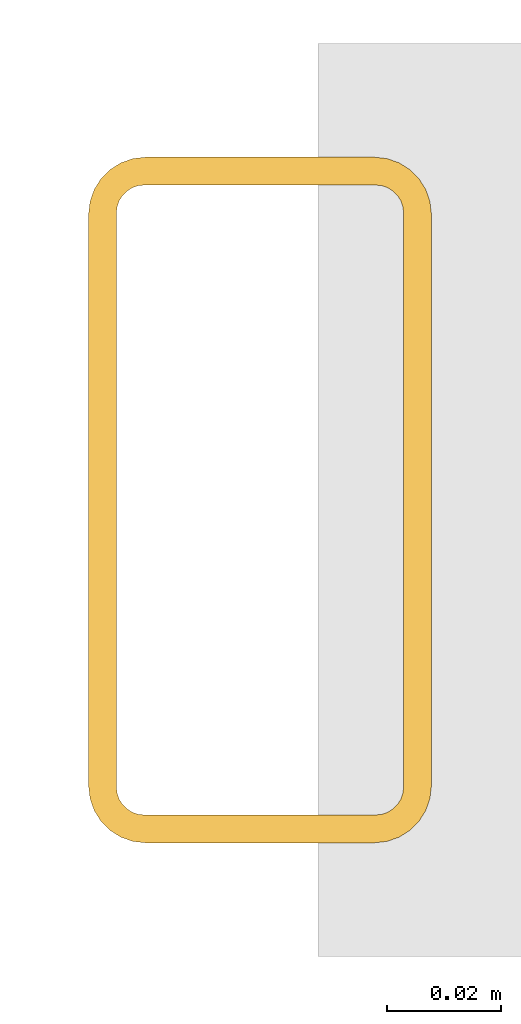
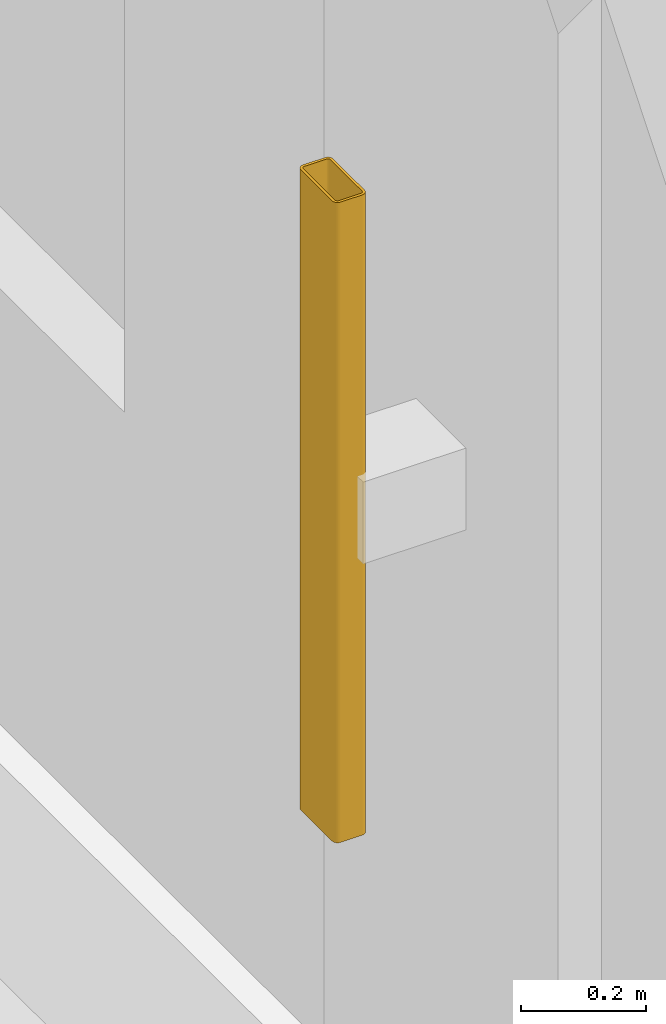
# One storey, part 84 of 93: 1 shading device.
"""IFC4 building model written with IfcOpenShell, lengths in metres."""

from ifc_helpers import new_model, si_unit, derived_unit, direction, frame, origin, origin_2d, place, context, subcontext, project, spatial, hollow_rectangle, extrude, material, material_profile, profile_set, type_object, element, save


model = new_model("IFC4")

# Units and contexts
model_context = context("Model", 3, precision=1e-05, world=origin(), true_north=direction((0.0, 1.0)))
body_context = subcontext(model_context, "Body", "Model", "MODEL_VIEW")
ifc_project = project(units=[si_unit("LENGTHUNIT", "METRE"), si_unit("AREAUNIT", "SQUARE_METRE"), si_unit("VOLUMEUNIT", "CUBIC_METRE"), si_unit("PLANEANGLEUNIT", "RADIAN"), si_unit("MASSUNIT", "GRAM", prefix="KILO"), derived_unit("THERMALTRANSMITTANCEUNIT", [(si_unit("MASSUNIT", "GRAM", prefix="KILO"), 1), (si_unit("TIMEUNIT", "SECOND"), -3), (si_unit("THERMODYNAMICTEMPERATUREUNIT", "KELVIN"), -1)])], contexts=[model_context])

# Site, building, storey
site_placement = place(None, origin())
site = spatial("IfcSite", under=ifc_project, at=site_placement, CompositionType="ELEMENT")
building_placement = place(site_placement, origin())
building = spatial("IfcBuilding", under=site, at=building_placement, Name="Kharveza Railside Sports Centre", CompositionType="ELEMENT")
storey_placement = place(building_placement, origin())
storey = spatial("IfcBuildingStorey", under=building, at=storey_placement, Name="L00", CompositionType="ELEMENT", Elevation=0.0)

# Shading device
ifc_material = material(Name="Anodised aluminium 6063-T6", Category="aluminium")
ifc_material_profile = material_profile(ifc_material, hollow_rectangle(XDim=0.06005859375, YDim=0.1201171875, WallThickness=0.0048828125, InnerFilletRadius=0.0048828125, OuterFilletRadius=0.010009765625, at=origin_2d()), Name="RHS 60x120x5.0")
ifc_profile_set = profile_set([ifc_material_profile], Name="Anodised aluminium 6063-T6")
shading_device_type = type_object("IfcShadingDeviceType", Name="SD-LV01", PredefinedType="JALOUSIE", material=ifc_profile_set)
shading_device_placement = place(storey_placement, frame((-0.425048828125, 104.39990234375, 0.85009765625), z_axis=(0.0, 0.0, 1.0), x_axis=(-1.0, 0.0, 0.0)))
element("IfcShadingDevice", 1, at=shading_device_placement, inside=storey, type_object=shading_device_type, Name="SD-FIN-025", PredefinedType="JALOUSIE", context=body_context, shape_type="SweptSolid", body=[
    extrude(hollow_rectangle(XDim=0.06005859375, YDim=0.1201171875, WallThickness=0.0048828125, InnerFilletRadius=0.0048828125, OuterFilletRadius=0.010009765625, at=origin_2d()), origin(), (0.0, 0.0, 1.0), 1.25),
])

save(model, "model.ifc")
